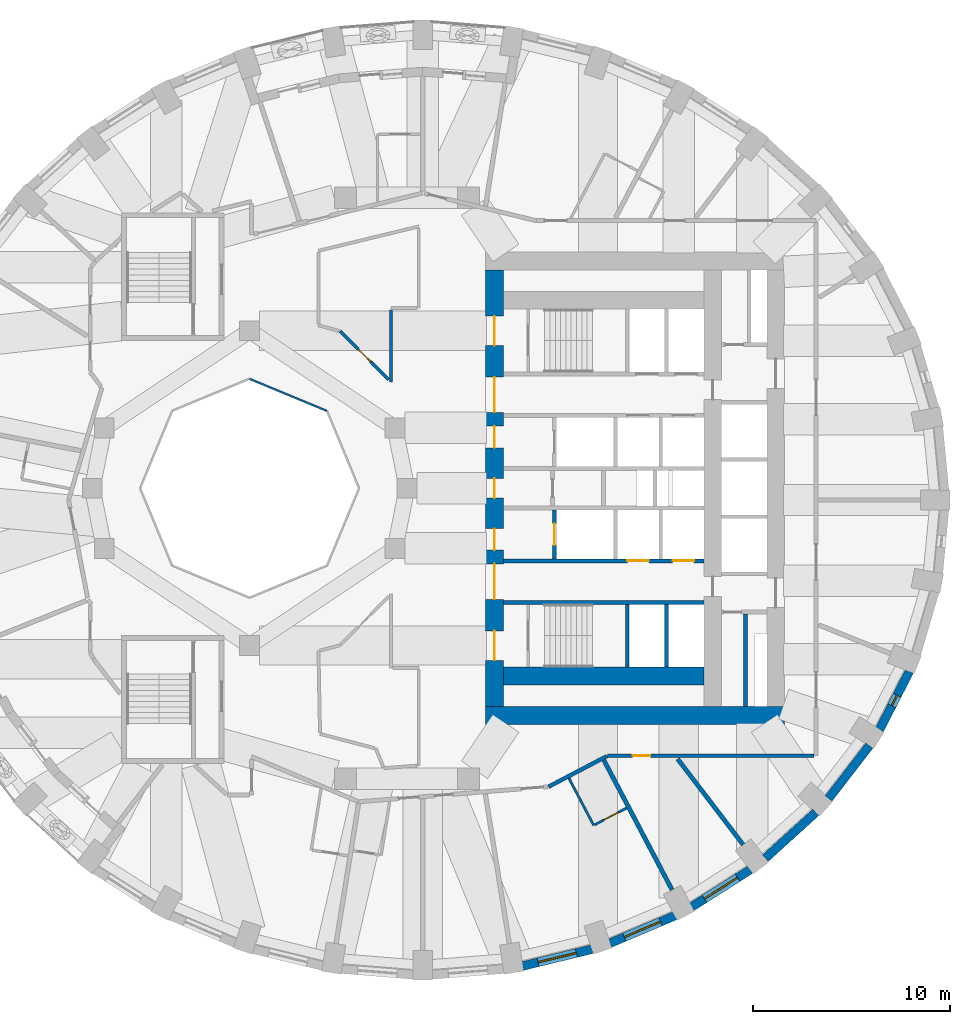
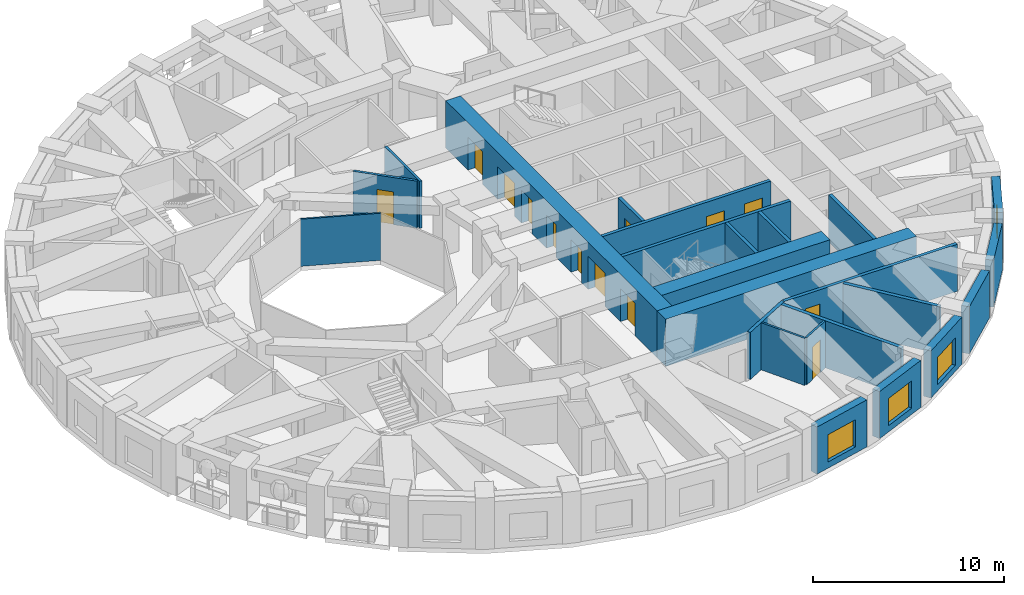
# One storey, part 5 of 12: 24 walls, 13 doors, 4 windows, 17 openings.
"""IFC4 building model written with IfcOpenShell, lengths in metres."""

from ifc_helpers import new_model, si_unit, direction, frame, frame_2d, origin, place, context, subcontext, project, spatial, rectangle, extrude, material, layer, layer_set, type_object, element, fill, save


model = new_model("IFC4")

# Units and contexts
model_context = context("Model", 3, precision=1e-05, world=origin(), true_north=direction((0.0, 1.0)))
body_context = subcontext(model_context, "Body", "Model", "MODEL_VIEW")
ifc_project = project(units=[si_unit("LENGTHUNIT", "METRE"), si_unit("AREAUNIT", "SQUARE_METRE"), si_unit("VOLUMEUNIT", "CUBIC_METRE"), si_unit("PLANEANGLEUNIT", "RADIAN"), si_unit("MASSUNIT", "GRAM", prefix="KILO")], contexts=[model_context])

# Site, building, storey
site_placement = place(None, origin())
site = spatial("IfcSite", under=ifc_project, at=site_placement, CompositionType="ELEMENT")
building_placement = place(site_placement, origin())
building = spatial("IfcBuilding", under=site, at=building_placement, Name="Taillehof Tower", CompositionType="ELEMENT")
storey_placement = place(building_placement, frame((0.0, 0.0, 88.89990234375)))
storey = spatial("IfcBuildingStorey", under=building, at=storey_placement, Name="L24", CompositionType="ELEMENT", Elevation=88.89990234375)

# Wall
ifc_material_1 = material(Name="Fire-resisting glass in steel frame", Category="steel")
ifc_layer_1 = layer(ifc_material_1, 0.10009765625)
ifc_layer_set_1 = layer_set([ifc_layer_1], Name="Atrium fire-resisting screen EI 60 100")
wall_type_1 = type_object("IfcWallType", Name="Atrium fire-resisting screen EI 60 100", PredefinedType="PARTITIONING", material=ifc_layer_set_1)
wall_1_placement = place(storey_placement, frame((-8.0, 5.55419921875, 0.0), z_axis=(0.0, 0.0, 1.0), x_axis=(0.923860025149, -0.382730523909, 0.0)))
element("IfcWall", 1, at=wall_1_placement, inside=storey, type_object=wall_type_1, Name="Atrium screen", PredefinedType="PARTITIONING", context=body_context, shape_type="SweptSolid", body=[
    extrude(rectangle(XDim=4.2509765625, YDim=0.10009765625, at=frame_2d((2.12548828125, 0.0))), origin(), (0.0, 0.0, 1.0), 3.02001953125),
])

# Wall, opening, window
ifc_material_2 = material(Name="Brick masonry", Category="masonry")
ifc_layer_2 = layer(ifc_material_2, 0.449951171875)
ifc_layer_set_2 = layer_set([ifc_layer_2], Name="Brick infill wall 450")
wall_type_2 = type_object("IfcWallType", Name="Brick infill wall 450", PredefinedType="SOLIDWALL", material=ifc_layer_set_2)
wall_2_placement = place(storey_placement, frame((5.87451171875, -24.29443359375, 0.0), z_axis=(0.0, 0.0, 1.0), x_axis=(0.971667603162, 0.236351579148, 0.0)))
wall_2 = element("IfcWall", 2, at=wall_2_placement, inside=storey, type_object=wall_type_2, Name="Brick wall L24 bay 29", PredefinedType="SOLIDWALL", context=body_context, shape_type="SweptSolid", body=[
    extrude(rectangle(XDim=3.635009765625, YDim=0.449951171875, at=frame_2d((1.8173828125, 0.0))), origin(), (0.0, 0.0, 1.0), 3.02001953125),
])
opening_1_placement = place(wall_2_placement, frame((0.8173828125, 0.0, 0.39990234375)))
opening_1 = element("IfcOpeningElement", 3, at=opening_1_placement, cuts=wall_2, Name="Opening W2", PredefinedType="OPENING", context=body_context, shape_type="SweptSolid", body=[
    extrude(rectangle(XDim=2.0, YDim=1.75, at=frame_2d((1.0, 0.875))), frame((0.0, 0.23486328125, 0.0), z_axis=(0.0, -1.0, 0.0), x_axis=(1.0, 0.0, 0.0)), (0.0, 0.0, 1.0), 0.469970703125),
])
ifc_material_3 = material(Name="Aluminium window frame with clear double glazing", Category="aluminium")
window_type_1 = type_object("IfcWindowType", Name="Deep-set window 2000x1750", PartitioningType="SINGLE_PANEL", PredefinedType="WINDOW", material=ifc_material_3)
window_1_placement = place(opening_1_placement, origin())
window_1 = element("IfcWindow", 4, at=window_1_placement, inside=storey, type_object=window_type_1, Name="W2", OverallHeight=1.75, OverallWidth=2.0, PartitioningType="SINGLE_PANEL", PredefinedType="WINDOW", context=body_context, shape_type="SweptSolid", body=[
    extrude(rectangle(XDim=2.0, YDim=1.75, at=frame_2d((1.0, 0.875))), frame((0.0, 0.034912109375, 0.0), z_axis=(0.0, -1.0, 0.0), x_axis=(1.0, 0.0, 0.0)), (0.0, 0.0, 1.0), 0.06005859375),
])
fill(opening_1, window_1)

wall_3_placement = place(storey_placement, frame((10.318115234375, -23.133544921875, 0.0), z_axis=(0.0, 0.0, 1.0), x_axis=(0.920869643542, 0.389870619055, 0.0)))
wall_3 = element("IfcWall", 5, at=wall_3_placement, inside=storey, type_object=wall_type_2, Name="Brick wall L24 bay 30", PredefinedType="SOLIDWALL", context=body_context, shape_type="SweptSolid", body=[
    extrude(rectangle(XDim=3.59130859375, YDim=0.449951171875, at=frame_2d((1.795654296875, 0.0))), origin(), (0.0, 0.0, 1.0), 3.02001953125),
])
opening_2_placement = place(wall_3_placement, frame((0.795654296875, 0.0, 0.39990234375)))
opening_2 = element("IfcOpeningElement", 6, at=opening_2_placement, cuts=wall_3, Name="Opening W2", PredefinedType="OPENING", context=body_context, shape_type="SweptSolid", body=[
    extrude(rectangle(XDim=2.0, YDim=1.75, at=frame_2d((1.0, 0.875))), frame((0.0, 0.23486328125, 0.0), z_axis=(0.0, -1.0, 0.0), x_axis=(1.0, 0.0, 0.0)), (0.0, 0.0, 1.0), 0.469970703125),
])
window_2_placement = place(opening_2_placement, origin())
window_2 = element("IfcWindow", 7, at=window_2_placement, inside=storey, type_object=window_type_1, Name="W2", OverallHeight=1.75, OverallWidth=2.0, PartitioningType="SINGLE_PANEL", PredefinedType="WINDOW", context=body_context, shape_type="SweptSolid", body=[
    extrude(rectangle(XDim=2.0, YDim=1.75, at=frame_2d((1.0, 0.875))), frame((0.0, 0.034912109375, 0.0), z_axis=(0.0, -1.0, 0.0), x_axis=(1.0, 0.0, 0.0)), (0.0, 0.0, 1.0), 0.06005859375),
])
fill(opening_2, window_2)

wall_4_placement = place(storey_placement, frame((14.475341796875, -21.287109375, 0.0), z_axis=(0.0, 0.0, 1.0), x_axis=(0.843911841423, 0.536481876587, 0.0)))
wall_4 = element("IfcWall", 8, at=wall_4_placement, inside=storey, type_object=wall_type_2, Name="Brick wall L24 bay 31", PredefinedType="SOLIDWALL", context=body_context, shape_type="SweptSolid", body=[
    extrude(rectangle(XDim=3.5322265625, YDim=0.449951171875, at=frame_2d((1.76611328125, 0.0))), origin(), (0.0, 0.0, 1.0), 3.02001953125),
])
opening_3_placement = place(wall_4_placement, frame((0.76611328125, 0.0, 0.39990234375)))
opening_3 = element("IfcOpeningElement", 9, at=opening_3_placement, cuts=wall_4, Name="Opening W2", PredefinedType="OPENING", context=body_context, shape_type="SweptSolid", body=[
    extrude(rectangle(XDim=2.0, YDim=1.75, at=frame_2d((1.0, 0.875))), frame((0.0, 0.23486328125, 0.0), z_axis=(0.0, -1.0, 0.0), x_axis=(1.0, 0.0, 0.0)), (0.0, 0.0, 1.0), 0.469970703125),
])
window_3_placement = place(opening_3_placement, origin())
window_3 = element("IfcWindow", 10, at=window_3_placement, inside=storey, type_object=window_type_1, Name="W2", OverallHeight=1.75, OverallWidth=2.0, PartitioningType="SINGLE_PANEL", PredefinedType="WINDOW", context=body_context, shape_type="SweptSolid", body=[
    extrude(rectangle(XDim=2.0, YDim=1.75, at=frame_2d((1.0, 0.875))), frame((0.0, 0.034912109375, 0.0), z_axis=(0.0, -1.0, 0.0), x_axis=(1.0, 0.0, 0.0)), (0.0, 0.0, 1.0), 0.06005859375),
])
fill(opening_3, window_3)

# Walls
wall_5_placement = place(storey_placement, frame((18.219482421875, -18.8095703125, 0.0), z_axis=(0.0, 0.0, 1.0), x_axis=(0.740364106106, 0.672206062446, 0.0)))
element("IfcWall", 11, at=wall_5_placement, inside=storey, type_object=wall_type_2, Name="Brick wall L24 bay 32", PredefinedType="SOLIDWALL", context=body_context, shape_type="SweptSolid", body=[
    extrude(rectangle(XDim=3.4638671875, YDim=0.449951171875, at=frame_2d((1.73193359375, 0.0))), origin(), (0.0, 0.0, 1.0), 3.02001953125),
])
wall_6_placement = place(storey_placement, frame((21.43505859375, -15.775390625, 0.0), z_axis=(0.0, 0.0, 1.0), x_axis=(0.610693945156, 0.791866721961, 0.0)))
element("IfcWall", 12, at=wall_6_placement, inside=storey, type_object=wall_type_2, Name="Brick wall L24 bay 33", PredefinedType="SOLIDWALL", context=body_context, shape_type="SweptSolid", body=[
    extrude(rectangle(XDim=3.39453125, YDim=0.449951171875, at=frame_2d((1.697265625, 0.0))), origin(), (0.0, 0.0, 1.0), 3.02001953125),
])

# Wall, opening, window
wall_7_placement = place(storey_placement, frame((24.022705078125, -12.27685546875, 0.0), z_axis=(0.0, 0.0, 1.0), x_axis=(0.456828186229, 0.889554949549, 0.0)))
wall_7 = element("IfcWall", 13, at=wall_7_placement, inside=storey, type_object=wall_type_2, Name="Brick wall L24 bay 34", PredefinedType="SOLIDWALL", context=body_context, shape_type="SweptSolid", body=[
    extrude(rectangle(XDim=3.332763671875, YDim=0.449951171875, at=frame_2d((1.66650390625, 0.0))), origin(), (0.0, 0.0, 1.0), 3.02001953125),
])
opening_4_placement = place(wall_7_placement, frame((1.366455078125, 0.0, 0.39990234375)))
opening_4 = element("IfcOpeningElement", 14, at=opening_4_placement, cuts=wall_7, Name="Opening W6", PredefinedType="OPENING", context=body_context, shape_type="SweptSolid", body=[
    extrude(rectangle(XDim=0.60009765625, YDim=1.75, at=frame_2d((0.300048828125, 0.875))), frame((0.0, 0.23486328125, 0.0), z_axis=(0.0, -1.0, 0.0), x_axis=(1.0, 0.0, 0.0)), (0.0, 0.0, 1.0), 0.469970703125),
])
ifc_material_4 = material(Name="Aluminium window frame with clear double glazing", Category="aluminium")
window_type_2 = type_object("IfcWindowType", Name="Slot window 600x1750", PartitioningType="SINGLE_PANEL", PredefinedType="WINDOW", material=ifc_material_4)
window_4_placement = place(opening_4_placement, origin())
window_4 = element("IfcWindow", 15, at=window_4_placement, inside=storey, type_object=window_type_2, Name="W6", OverallHeight=1.75, OverallWidth=0.60009765625, PartitioningType="SINGLE_PANEL", PredefinedType="WINDOW", context=body_context, shape_type="SweptSolid", body=[
    extrude(rectangle(XDim=0.60009765625, YDim=1.75, at=frame_2d((0.300048828125, 0.875))), frame((0.0, 0.034912109375, 0.0), z_axis=(0.0, -1.0, 0.0), x_axis=(1.0, 0.0, 0.0)), (0.0, 0.0, 1.0), 0.06005859375),
])
fill(opening_4, window_4)

# Wall
ifc_material_5 = material(Name="Calcium silicate masonry", Category="masonry")
ifc_layer_3 = layer(ifc_material_5, 0.199951171875)
ifc_layer_set_3 = layer_set([ifc_layer_3], Name="Compartment wall calcium silicate 200")
wall_type_3 = type_object("IfcWallType", Name="Compartment wall calcium silicate 200", PredefinedType="PARTITIONING", material=ifc_layer_set_3)
wall_8_placement = place(storey_placement, frame((17.199951171875, -11.10009765625, 0.0), z_axis=(0.0, 0.0, 1.0), x_axis=(0.0, 1.0, 0.0)))
element("IfcWall", 16, at=wall_8_placement, inside=storey, type_object=wall_type_3, Name="Compartment wall FW", PredefinedType="PARTITIONING", context=body_context, shape_type="SweptSolid", body=[
    extrude(rectangle(XDim=4.7001953125, YDim=0.199951171875, at=frame_2d((2.35009765625, 0.0))), origin(), (0.0, 0.0, 1.0), 3.02001953125),
])

# Wall, opening, door
ifc_material_6 = material(Name="Gypsum board on steel studs, two layers each side", Category="steel")
ifc_layer_4 = layer(ifc_material_6, 0.199951171875)
ifc_layer_set_4 = layer_set([ifc_layer_4], Name="Compartment wall corridor 200")
wall_type_4 = type_object("IfcWallType", Name="Compartment wall corridor 200", PredefinedType="PARTITIONING", material=ifc_layer_set_4)
wall_9_placement = place(storey_placement, frame((20.699951171875, -13.60009765625, 0.0), z_axis=(0.0, 0.0, 1.0), x_axis=(-1.0, 0.0, 0.0)))
wall_9 = element("IfcWall", 17, at=wall_9_placement, inside=storey, type_object=wall_type_4, Name="Compartment wall", PredefinedType="PARTITIONING", context=body_context, shape_type="SweptSolid", body=[
    extrude(rectangle(XDim=10.49755859375, YDim=0.199951171875, at=frame_2d((5.248779296875, 0.0))), origin(), (0.0, 0.0, 1.0), 3.02001953125),
])
opening_5_placement = place(wall_9_placement, frame((8.32470703125, 0.0, 0.0)))
opening_5 = element("IfcOpeningElement", 18, at=opening_5_placement, cuts=wall_9, Name="Opening D2460", PredefinedType="OPENING", context=body_context, shape_type="SweptSolid", body=[
    extrude(rectangle(XDim=0.89990234375, YDim=2.10009765625, at=frame_2d((0.449951171875, 1.050048828125))), frame((0.0, 0.10986328125, 0.0), z_axis=(0.0, -1.0, 0.0), x_axis=(1.0, 0.0, 0.0)), (0.0, 0.0, 1.0), 0.219970703125),
])
ifc_material_7 = material(Name="Timber door leaf in steel frame", Category="steel")
door_type_1 = type_object("IfcDoorType", Name="Service room door EI 30 900 x 2100", OperationType="SINGLE_SWING_LEFT", PredefinedType="DOOR", material=ifc_material_7)
door_1_placement = place(opening_5_placement, origin())
door_1 = element("IfcDoor", 19, at=door_1_placement, inside=storey, type_object=door_type_1, Name="D2460", OperationType="SINGLE_SWING_RIGHT", OverallHeight=2.10009765625, OverallWidth=0.89990234375, PredefinedType="DOOR", context=body_context, shape_type="SweptSolid", body=[
    extrude(rectangle(XDim=0.89990234375, YDim=2.10009765625, at=frame_2d((0.449951171875, 1.050048828125))), frame((0.0, 0.02490234375, 0.0), z_axis=(0.0, -1.0, 0.0), x_axis=(1.0, 0.0, 0.0)), (0.0, 0.0, 1.0), 0.050048828125),
])
fill(opening_5, door_1)

# Walls
wall_10_placement = place(storey_placement, frame((10.166748046875, -13.61865234375, 0.0), z_axis=(0.0, 0.0, 1.0), x_axis=(-0.885637584774, -0.4643770757, 0.0)))
element("IfcWall", 20, at=wall_10_placement, inside=storey, type_object=wall_type_4, Name="Compartment wall", PredefinedType="PARTITIONING", context=body_context, shape_type="SweptSolid", body=[
    extrude(rectangle(XDim=3.35205078125, YDim=0.199951171875, at=frame_2d((1.676025390625, 0.0))), origin(), (0.0, 0.0, 1.0), 3.02001953125),
])
ifc_material_8 = material(Name="Gypsum board on double steel studs with mineral wool", Category="steel")
ifc_layer_5 = layer(ifc_material_8, 0.219970703125)
ifc_layer_set_5 = layer_set([ifc_layer_5], Name="Compartment wall guest room 220")
wall_type_5 = type_object("IfcWallType", Name="Compartment wall guest room 220", PredefinedType="PARTITIONING", material=ifc_layer_set_5)
wall_11_placement = place(storey_placement, frame((13.47607421875, -20.417724609375, 0.0), z_axis=(0.0, 0.0, 1.0), x_axis=(-0.465295750937, 0.885155276864, 0.0)))
element("IfcWall", 21, at=wall_11_placement, inside=storey, type_object=wall_type_5, Name="Compartment wall", PredefinedType="PARTITIONING", context=body_context, shape_type="SweptSolid", body=[
    extrude(rectangle(XDim=7.4580078125, YDim=0.219970703125, at=frame_2d((3.72900390625, 0.0))), origin(), (0.0, 0.0, 1.0), 3.02001953125),
])
wall_12_placement = place(storey_placement, frame((17.08935546875, -18.120849609375, 0.0), z_axis=(0.0, 0.0, 1.0), x_axis=(-0.607064955951, 0.794652212767, 0.0)))
element("IfcWall", 22, at=wall_12_placement, inside=storey, type_object=wall_type_5, Name="Compartment wall", PredefinedType="PARTITIONING", context=body_context, shape_type="SweptSolid", body=[
    extrude(rectangle(XDim=5.483154296875, YDim=0.219970703125, at=frame_2d((2.74169921875, 0.0))), origin(), (0.0, 0.0, 1.0), 3.02001953125),
])
ifc_material_9 = material(Name="Gypsum board on steel studs, two layers each side", Category="steel")
ifc_layer_6 = layer(ifc_material_9, 0.14990234375)
ifc_layer_set_6 = layer_set([ifc_layer_6], Name="Compartment wall service room 150")
wall_type_6 = type_object("IfcWallType", Name="Compartment wall service room 150", PredefinedType="PARTITIONING", material=ifc_layer_set_6)
wall_13_placement = place(storey_placement, frame((-0.800048828125, 9.06982421875, 0.0), z_axis=(0.0, 0.0, 1.0), x_axis=(0.0, -1.0, 0.0)))
element("IfcWall", 23, at=wall_13_placement, inside=storey, type_object=wall_type_6, Name="Compartment wall", PredefinedType="PARTITIONING", context=body_context, shape_type="SweptSolid", body=[
    extrude(rectangle(XDim=3.683349609375, YDim=0.14990234375, at=frame_2d((1.841796875, 0.0))), origin(), (0.0, 0.0, 1.0), 3.02001953125),
])

# Wall, opening, door
wall_14_placement = place(storey_placement, frame((-0.927490234375, 5.513916015625, 0.0), z_axis=(0.0, 0.0, 1.0), x_axis=(-0.707106781187, 0.707106781187, 0.0)))
wall_14 = element("IfcWall", 24, at=wall_14_placement, inside=storey, type_object=wall_type_6, Name="Compartment wall", PredefinedType="PARTITIONING", context=body_context, shape_type="SweptSolid", body=[
    extrude(rectangle(XDim=3.48681640625, YDim=0.14990234375, at=frame_2d((1.743408203125, 0.0))), origin(), (0.0, 0.0, 1.0), 3.02001953125),
])
opening_6_placement = place(wall_14_placement, frame((1.29345703125, 0.0, 0.0)))
opening_6 = element("IfcOpeningElement", 25, at=opening_6_placement, cuts=wall_14, Name="Opening D2465", PredefinedType="OPENING", context=body_context, shape_type="SweptSolid", body=[
    extrude(rectangle(XDim=0.89990234375, YDim=2.10009765625, at=frame_2d((0.449951171875, 1.050048828125))), frame((0.0, 0.0849609375, 0.0), z_axis=(0.0, -1.0, 0.0), x_axis=(1.0, 0.0, 0.0)), (0.0, 0.0, 1.0), 0.169921875),
])
door_2_placement = place(opening_6_placement, origin())
door_2 = element("IfcDoor", 26, at=door_2_placement, inside=storey, type_object=door_type_1, Name="D2465", OperationType="SINGLE_SWING_RIGHT", OverallHeight=2.10009765625, OverallWidth=0.89990234375, PredefinedType="DOOR", context=body_context, shape_type="SweptSolid", body=[
    extrude(rectangle(XDim=0.89990234375, YDim=2.10009765625, at=frame_2d((0.449951171875, 1.050048828125))), frame((0.0, 0.02490234375, 0.0), z_axis=(0.0, -1.0, 0.0), x_axis=(1.0, 0.0, 0.0)), (0.0, 0.0, 1.0), 0.050048828125),
])
fill(opening_6, door_2)

# Wall, openings, doors
ifc_material_10 = material(Name="Concrete C80/95", Category="concrete")
ifc_layer_7 = layer(ifc_material_10, 0.89990234375)
ifc_layer_set_7 = layer_set([ifc_layer_7], Name="Core wall C80/95 900")
wall_type_7 = type_object("IfcWallType", Name="Core wall C80/95 900", PredefinedType="SHEAR", material=ifc_layer_set_7)
wall_15_placement = place(storey_placement, frame((4.449951171875, -11.10009765625, 0.0), z_axis=(0.0, 0.0, 1.0), x_axis=(0.0, 1.0, 0.0)))
wall_15 = element("IfcWall", 27, at=wall_15_placement, inside=storey, type_object=wall_type_7, Name="Core wall CW01", PredefinedType="SHEAR", context=body_context, shape_type="SweptSolid", body=[
    extrude(rectangle(XDim=22.2001953125, YDim=0.89990234375, at=frame_2d((11.10009765625, 0.0))), origin(), (0.0, 0.0, 1.0), 3.02001953125),
])
opening_7_placement = place(wall_15_placement, frame((2.35009765625, 0.0, 0.0)))
opening_7 = element("IfcOpeningElement", 28, at=opening_7_placement, cuts=wall_15, Name="Opening D2401", PredefinedType="OPENING", context=body_context, shape_type="SweptSolid", body=[
    extrude(rectangle(XDim=1.5, YDim=2.10009765625, at=frame_2d((0.75, 1.050048828125))), frame((0.0, 0.4599609375, 0.0), z_axis=(0.0, -1.0, 0.0), x_axis=(1.0, 0.0, 0.0)), (0.0, 0.0, 1.0), 0.919921875),
])
opening_8_placement = place(wall_15_placement, frame((5.449951171875, 0.0, 0.0)))
opening_8 = element("IfcOpeningElement", 29, at=opening_8_placement, cuts=wall_15, Name="Opening D2402", PredefinedType="OPENING", context=body_context, shape_type="SweptSolid", body=[
    extrude(rectangle(XDim=1.800048828125, YDim=2.10009765625, at=frame_2d((0.89990234375, 1.050048828125))), frame((0.0, 0.4599609375, 0.0), z_axis=(0.0, -1.0, 0.0), x_axis=(1.0, 0.0, 0.0)), (0.0, 0.0, 1.0), 0.919921875),
])
opening_9_placement = place(wall_15_placement, frame((7.949951171875, 0.0, 0.0)))
opening_9 = element("IfcOpeningElement", 30, at=opening_9_placement, cuts=wall_15, Name="Opening D2403", PredefinedType="OPENING", context=body_context, shape_type="SweptSolid", body=[
    extrude(rectangle(XDim=1.10009765625, YDim=2.10009765625, at=frame_2d((0.550048828125, 1.050048828125))), frame((0.0, 0.4599609375, 0.0), z_axis=(0.0, -1.0, 0.0), x_axis=(1.0, 0.0, 0.0)), (0.0, 0.0, 1.0), 0.919921875),
])
opening_10_placement = place(wall_15_placement, frame((10.60009765625, 0.0, 0.0)))
opening_10 = element("IfcOpeningElement", 31, at=opening_10_placement, cuts=wall_15, Name="Opening D2404", PredefinedType="OPENING", context=body_context, shape_type="SweptSolid", body=[
    extrude(rectangle(XDim=1.0, YDim=2.10009765625, at=frame_2d((0.5, 1.050048828125))), frame((0.0, 0.4599609375, 0.0), z_axis=(0.0, -1.0, 0.0), x_axis=(1.0, 0.0, 0.0)), (0.0, 0.0, 1.0), 0.919921875),
])
opening_11_placement = place(wall_15_placement, frame((13.14990234375, 0.0, 0.0)))
opening_11 = element("IfcOpeningElement", 32, at=opening_11_placement, cuts=wall_15, Name="Opening D2405", PredefinedType="OPENING", context=body_context, shape_type="SweptSolid", body=[
    extrude(rectangle(XDim=1.10009765625, YDim=2.10009765625, at=frame_2d((0.550048828125, 1.050048828125))), frame((0.0, 0.4599609375, 0.0), z_axis=(0.0, -1.0, 0.0), x_axis=(1.0, 0.0, 0.0)), (0.0, 0.0, 1.0), 0.919921875),
])
opening_12_placement = place(wall_15_placement, frame((14.949951171875, 0.0, 0.0)))
opening_12 = element("IfcOpeningElement", 33, at=opening_12_placement, cuts=wall_15, Name="Opening D2406", PredefinedType="OPENING", context=body_context, shape_type="SweptSolid", body=[
    extrude(rectangle(XDim=1.800048828125, YDim=2.10009765625, at=frame_2d((0.89990234375, 1.050048828125))), frame((0.0, 0.4599609375, 0.0), z_axis=(0.0, -1.0, 0.0), x_axis=(1.0, 0.0, 0.0)), (0.0, 0.0, 1.0), 0.919921875),
])
opening_13_placement = place(wall_15_placement, frame((18.35009765625, 0.0, 0.0)))
opening_13 = element("IfcOpeningElement", 34, at=opening_13_placement, cuts=wall_15, Name="Opening D2407", PredefinedType="OPENING", context=body_context, shape_type="SweptSolid", body=[
    extrude(rectangle(XDim=1.5, YDim=2.10009765625, at=frame_2d((0.75, 1.050048828125))), frame((0.0, 0.4599609375, 0.0), z_axis=(0.0, -1.0, 0.0), x_axis=(1.0, 0.0, 0.0)), (0.0, 0.0, 1.0), 0.919921875),
])
ifc_material_11 = material(Name="Steel-faced fire door", Category="steel")
door_type_2 = type_object("IfcDoorType", Name="Firefighting lobby door 1100x2100", OperationType="SINGLE_SWING_RIGHT", PredefinedType="DOOR", material=ifc_material_11)
door_3_placement = place(opening_9_placement, origin())
door_3 = element("IfcDoor", 35, at=door_3_placement, inside=storey, type_object=door_type_2, Name="Firefighting lobby door FFL-S", OperationType="SINGLE_SWING_RIGHT", OverallHeight=2.10009765625, OverallWidth=1.10009765625, PredefinedType="DOOR", context=body_context, shape_type="SweptSolid", body=[
    extrude(rectangle(XDim=1.10009765625, YDim=2.10009765625, at=frame_2d((0.550048828125, 1.050048828125))), frame((0.0, 0.02490234375, 0.0), z_axis=(0.0, -1.0, 0.0), x_axis=(1.0, 0.0, 0.0)), (0.0, 0.0, 1.0), 0.050048828125),
])
fill(opening_9, door_3)
door_4_placement = place(opening_11_placement, origin())
door_4 = element("IfcDoor", 36, at=door_4_placement, inside=storey, type_object=door_type_2, Name="Firefighting lobby door FFL-N", OperationType="SINGLE_SWING_LEFT", OverallHeight=2.10009765625, OverallWidth=1.10009765625, PredefinedType="DOOR", context=body_context, shape_type="SweptSolid", body=[
    extrude(rectangle(XDim=1.10009765625, YDim=2.10009765625, at=frame_2d((0.550048828125, 1.050048828125))), frame((0.0, 0.02490234375, 0.0), z_axis=(0.0, -1.0, 0.0), x_axis=(1.0, 0.0, 0.0)), (0.0, 0.0, 1.0), 0.050048828125),
])
fill(opening_11, door_4)
ifc_material_12 = material(Name="Steel-faced fire door", Category="steel")
door_type_3 = type_object("IfcDoorType", Name="Lift lobby door 1800x2100", OperationType="DOUBLE_DOOR_SINGLE_SWING", PredefinedType="DOOR", material=ifc_material_12)
door_5_placement = place(opening_8_placement, origin())
door_5 = element("IfcDoor", 37, at=door_5_placement, inside=storey, type_object=door_type_3, Name="Lift lobby door LL-S", OperationType="DOUBLE_DOOR_SINGLE_SWING", OverallHeight=2.10009765625, OverallWidth=1.800048828125, PredefinedType="DOOR", context=body_context, shape_type="SweptSolid", body=[
    extrude(rectangle(XDim=1.800048828125, YDim=2.10009765625, at=frame_2d((0.89990234375, 1.050048828125))), frame((0.0, 0.02490234375, 0.0), z_axis=(0.0, -1.0, 0.0), x_axis=(1.0, 0.0, 0.0)), (0.0, 0.0, 1.0), 0.050048828125),
])
fill(opening_8, door_5)
door_6_placement = place(opening_12_placement, origin())
door_6 = element("IfcDoor", 38, at=door_6_placement, inside=storey, type_object=door_type_3, Name="Lift lobby door LL-N", OperationType="DOUBLE_DOOR_SINGLE_SWING", OverallHeight=2.10009765625, OverallWidth=1.800048828125, PredefinedType="DOOR", context=body_context, shape_type="SweptSolid", body=[
    extrude(rectangle(XDim=1.800048828125, YDim=2.10009765625, at=frame_2d((0.89990234375, 1.050048828125))), frame((0.0, 0.02490234375, 0.0), z_axis=(0.0, -1.0, 0.0), x_axis=(1.0, 0.0, 0.0)), (0.0, 0.0, 1.0), 0.050048828125),
])
fill(opening_12, door_6)
ifc_material_13 = material(Name="Steel-faced fire door", Category="steel")
door_type_4 = type_object("IfcDoorType", Name="Service door 1000x2100", OperationType="SINGLE_SWING_RIGHT", PredefinedType="DOOR", material=ifc_material_13)
door_7_placement = place(opening_10_placement, origin())
door_7 = element("IfcDoor", 39, at=door_7_placement, inside=storey, type_object=door_type_4, Name="Service door SV", OperationType="SINGLE_SWING_RIGHT", OverallHeight=2.10009765625, OverallWidth=1.0, PredefinedType="DOOR", context=body_context, shape_type="SweptSolid", body=[
    extrude(rectangle(XDim=1.0, YDim=2.10009765625, at=frame_2d((0.5, 1.050048828125))), frame((0.0, 0.02490234375, 0.0), z_axis=(0.0, -1.0, 0.0), x_axis=(1.0, 0.0, 0.0)), (0.0, 0.0, 1.0), 0.050048828125),
])
fill(opening_10, door_7)
ifc_material_14 = material(Name="Steel-faced fire door", Category="steel")
door_type_5 = type_object("IfcDoorType", Name="Stair door 1500x2100", OperationType="DOUBLE_DOOR_SINGLE_SWING", PredefinedType="DOOR", material=ifc_material_14)
door_8_placement = place(opening_7_placement, origin())
door_8 = element("IfcDoor", 40, at=door_8_placement, inside=storey, type_object=door_type_5, Name="Stair door S2", OperationType="DOUBLE_DOOR_SINGLE_SWING", OverallHeight=2.10009765625, OverallWidth=1.5, PredefinedType="DOOR", context=body_context, shape_type="SweptSolid", body=[
    extrude(rectangle(XDim=1.5, YDim=2.10009765625, at=frame_2d((0.75, 1.050048828125))), frame((0.0, 0.02490234375, 0.0), z_axis=(0.0, -1.0, 0.0), x_axis=(1.0, 0.0, 0.0)), (0.0, 0.0, 1.0), 0.050048828125),
])
fill(opening_7, door_8)
door_9_placement = place(opening_13_placement, origin())
door_9 = element("IfcDoor", 41, at=door_9_placement, inside=storey, type_object=door_type_5, Name="Stair door S1", OperationType="DOUBLE_DOOR_SINGLE_SWING", OverallHeight=2.10009765625, OverallWidth=1.5, PredefinedType="DOOR", context=body_context, shape_type="SweptSolid", body=[
    extrude(rectangle(XDim=1.5, YDim=2.10009765625, at=frame_2d((0.75, 1.050048828125))), frame((0.0, 0.02490234375, 0.0), z_axis=(0.0, -1.0, 0.0), x_axis=(1.0, 0.0, 0.0)), (0.0, 0.0, 1.0), 0.050048828125),
])
fill(opening_13, door_9)

# Walls
wall_16_placement = place(storey_placement, frame((4.0, -11.550048828125, 0.0), z_axis=(0.0, 0.0, 1.0), x_axis=(1.0, 0.0, 0.0)))
element("IfcWall", 42, at=wall_16_placement, inside=storey, type_object=wall_type_7, Name="Core wall CW04", PredefinedType="SHEAR", context=body_context, shape_type="SweptSolid", body=[
    extrude(rectangle(XDim=15.199951171875, YDim=0.89990234375, at=frame_2d((7.60009765625, 0.0))), origin(), (0.0, 0.0, 1.0), 3.02001953125),
])
wall_17_placement = place(storey_placement, frame((4.89990234375, -9.550048828125, 0.0), z_axis=(0.0, 0.0, 1.0), x_axis=(1.0, 0.0, 0.0)))
element("IfcWall", 43, at=wall_17_placement, inside=storey, type_object=wall_type_7, Name="Core wall CW07", PredefinedType="SHEAR", context=body_context, shape_type="SweptSolid", body=[
    extrude(rectangle(XDim=10.2001953125, YDim=0.89990234375, at=frame_2d((5.10009765625, 0.0))), origin(), (0.0, 0.0, 1.0), 3.02001953125),
])
ifc_material_15 = material(Name="Gypsum board on steel studs, moisture resistant", Category="steel")
ifc_layer_8 = layer(ifc_material_15, 0.1201171875)
ifc_layer_set_8 = layer_set([ifc_layer_8], Name="En-suite wall 120")
wall_type_8 = type_object("IfcWallType", Name="En-suite wall 120", PredefinedType="PARTITIONING", material=ifc_layer_set_8)
wall_18_placement = place(storey_placement, frame((8.234619140625, -14.744873046875, 0.0), z_axis=(0.0, 0.0, 1.0), x_axis=(0.46526594455, -0.885170944418, 0.0)))
element("IfcWall", 44, at=wall_18_placement, inside=storey, type_object=wall_type_8, Name="En-suite wall", PredefinedType="PARTITIONING", context=body_context, shape_type="SweptSolid", body=[
    extrude(rectangle(XDim=2.701904296875, YDim=0.1201171875, at=frame_2d((1.35107421875, 0.0))), origin(), (0.0, 0.0, 1.0), 3.02001953125),
])

# Wall, opening, door
wall_19_placement = place(storey_placement, frame((9.544921875, -17.108642578125, 0.0), z_axis=(0.0, 0.0, 1.0), x_axis=(0.885143836671, 0.465317513536, 0.0)))
wall_19 = element("IfcWall", 45, at=wall_19_placement, inside=storey, type_object=wall_type_8, Name="En-suite wall", PredefinedType="PARTITIONING", context=body_context, shape_type="SweptSolid", body=[
    extrude(rectangle(XDim=1.830078125, YDim=0.1201171875, at=frame_2d((0.9150390625, 0.0))), origin(), (0.0, 0.0, 1.0), 3.02001953125),
])
opening_14_placement = place(wall_19_placement, frame((0.5400390625, 0.0, 0.0)))
opening_14 = element("IfcOpeningElement", 46, at=opening_14_placement, cuts=wall_19, Name="Opening D2459", PredefinedType="OPENING", context=body_context, shape_type="SweptSolid", body=[
    extrude(rectangle(XDim=0.800048828125, YDim=2.10009765625, at=frame_2d((0.39990234375, 1.050048828125))), frame((0.0, 0.070068359375, 0.0), z_axis=(0.0, -1.0, 0.0), x_axis=(1.0, 0.0, 0.0)), (0.0, 0.0, 1.0), 0.14013671875),
])
ifc_material_16 = material(Name="Timber door leaf in steel frame", Category="steel")
door_type_6 = type_object("IfcDoorType", Name="En-suite door 800 x 2100", OperationType="SINGLE_SWING_LEFT", PredefinedType="DOOR", material=ifc_material_16)
door_10_placement = place(opening_14_placement, origin())
door_10 = element("IfcDoor", 47, at=door_10_placement, inside=storey, type_object=door_type_6, Name="D2459", OperationType="SINGLE_SWING_LEFT", OverallHeight=2.10009765625, OverallWidth=0.800048828125, PredefinedType="DOOR", context=body_context, shape_type="SweptSolid", body=[
    extrude(rectangle(XDim=0.800048828125, YDim=2.10009765625, at=frame_2d((0.39990234375, 1.050048828125))), frame((0.0, 0.02490234375, 0.0), z_axis=(0.0, -1.0, 0.0), x_axis=(1.0, 0.0, 0.0)), (0.0, 0.0, 1.0), 0.050048828125),
])
fill(opening_14, door_10)

# Wall, openings, doors
ifc_material_17 = material(Name="Concrete C50/60", Category="concrete")
ifc_layer_9 = layer(ifc_material_17, 0.199951171875)
ifc_layer_set_9 = layer_set([ifc_layer_9], Name="Shaft wall C50/60 200")
wall_type_9 = type_object("IfcWallType", Name="Shaft wall C50/60 200", PredefinedType="SHEAR", material=ifc_layer_set_9)
wall_20_placement = place(storey_placement, frame((4.89990234375, -3.699951171875, 0.0), z_axis=(0.0, 0.0, 1.0), x_axis=(1.0, 0.0, 0.0)))
wall_20 = element("IfcWall", 48, at=wall_20_placement, inside=storey, type_object=wall_type_9, Name="Shaft wall SW", PredefinedType="SHEAR", context=body_context, shape_type="SweptSolid", body=[
    extrude(rectangle(XDim=10.2001953125, YDim=0.199951171875, at=frame_2d((5.10009765625, 0.0))), origin(), (0.0, 0.0, 1.0), 3.02001953125),
])
opening_15_placement = place(wall_20_placement, frame((6.300048828125, 0.0, 0.0)))
opening_15 = element("IfcOpeningElement", 49, at=opening_15_placement, cuts=wall_20, Name="Opening LD1", PredefinedType="OPENING", context=body_context, shape_type="SweptSolid", body=[
    extrude(rectangle(XDim=1.10009765625, YDim=2.10009765625, at=frame_2d((0.550048828125, 1.050048828125))), frame((0.0, 0.10986328125, 0.0), z_axis=(0.0, -1.0, 0.0), x_axis=(1.0, 0.0, 0.0)), (0.0, 0.0, 1.0), 0.219970703125),
])
opening_16_placement = place(wall_20_placement, frame((8.60009765625, 0.0, 0.0)))
opening_16 = element("IfcOpeningElement", 50, at=opening_16_placement, cuts=wall_20, Name="Opening LD1", PredefinedType="OPENING", context=body_context, shape_type="SweptSolid", body=[
    extrude(rectangle(XDim=1.10009765625, YDim=2.10009765625, at=frame_2d((0.550048828125, 1.050048828125))), frame((0.0, 0.10986328125, 0.0), z_axis=(0.0, -1.0, 0.0), x_axis=(1.0, 0.0, 0.0)), (0.0, 0.0, 1.0), 0.219970703125),
])
ifc_material_18 = material(Name="Stainless steel", Category="steel")
door_type_7 = type_object("IfcDoorType", Name="Lift landing door LD1 1100x2100", OperationType="DOUBLE_DOOR_SLIDING", PredefinedType="DOOR", material=ifc_material_18)
door_11_placement = place(opening_15_placement, origin())
door_11 = element("IfcDoor", 51, at=door_11_placement, inside=storey, type_object=door_type_7, Name="Landing door LR5", OperationType="DOUBLE_DOOR_SLIDING", OverallHeight=2.10009765625, OverallWidth=1.10009765625, PredefinedType="DOOR", context=body_context, shape_type="SweptSolid", body=[
    extrude(rectangle(XDim=1.10009765625, YDim=2.10009765625, at=frame_2d((0.550048828125, 1.050048828125))), frame((0.0, 0.02490234375, 0.0), z_axis=(0.0, -1.0, 0.0), x_axis=(1.0, 0.0, 0.0)), (0.0, 0.0, 1.0), 0.050048828125),
])
fill(opening_15, door_11)
door_12_placement = place(opening_16_placement, origin())
door_12 = element("IfcDoor", 52, at=door_12_placement, inside=storey, type_object=door_type_7, Name="Landing door LR6", OperationType="DOUBLE_DOOR_SLIDING", OverallHeight=2.10009765625, OverallWidth=1.10009765625, PredefinedType="DOOR", context=body_context, shape_type="SweptSolid", body=[
    extrude(rectangle(XDim=1.10009765625, YDim=2.10009765625, at=frame_2d((0.550048828125, 1.050048828125))), frame((0.0, 0.02490234375, 0.0), z_axis=(0.0, -1.0, 0.0), x_axis=(1.0, 0.0, 0.0)), (0.0, 0.0, 1.0), 0.050048828125),
])
fill(opening_16, door_12)

# Walls
wall_21_placement = place(storey_placement, frame((4.89990234375, -5.800048828125, 0.0), z_axis=(0.0, 0.0, 1.0), x_axis=(1.0, 0.0, 0.0)))
element("IfcWall", 53, at=wall_21_placement, inside=storey, type_object=wall_type_9, Name="Shaft wall SW", PredefinedType="SHEAR", context=body_context, shape_type="SweptSolid", body=[
    extrude(rectangle(XDim=10.2001953125, YDim=0.199951171875, at=frame_2d((5.10009765625, 0.0))), origin(), (0.0, 0.0, 1.0), 3.02001953125),
])
for number, where, z_axis, x_axis, name in (
    (54, (11.199951171875, -9.10009765625, 0.0), (0.0, 0.0, 1.0), (0.0, 1.0, 0.0), "Shaft wall SW"),
    (55, (13.199951171875, -9.10009765625, 0.0), (0.0, 0.0, 1.0), (0.0, 1.0, 0.0), "Shaft wall SW"),
):
    element("IfcWall", number, at=place(storey_placement, frame(where, z_axis=z_axis, x_axis=x_axis)), inside=storey, type_object=wall_type_9, Name=name, PredefinedType="SHEAR", context=body_context, shape_type="SweptSolid", body=[
        extrude(rectangle(XDim=3.2001953125, YDim=0.199951171875, at=frame_2d((1.60009765625, 0.0))), origin(), (0.0, 0.0, 1.0), 3.02001953125),
    ])

# Wall, opening, door
wall_22_placement = place(storey_placement, frame((7.5, -3.60009765625, 0.0), z_axis=(0.0, 0.0, 1.0), x_axis=(0.0, 1.0, 0.0)))
wall_22 = element("IfcWall", 56, at=wall_22_placement, inside=storey, type_object=wall_type_9, Name="Shaft wall SW", PredefinedType="SHEAR", context=body_context, shape_type="SweptSolid", body=[
    extrude(rectangle(XDim=2.5, YDim=0.199951171875, at=frame_2d((1.25, 0.0))), origin(), (0.0, 0.0, 1.0), 3.02001953125),
])
opening_17_placement = place(wall_22_placement, frame((0.699951171875, 0.0, 0.0)))
opening_17 = element("IfcOpeningElement", 57, at=opening_17_placement, cuts=wall_22, Name="Opening LD1", PredefinedType="OPENING", context=body_context, shape_type="SweptSolid", body=[
    extrude(rectangle(XDim=1.10009765625, YDim=2.10009765625, at=frame_2d((0.550048828125, 1.050048828125))), frame((0.0, 0.10986328125, 0.0), z_axis=(0.0, -1.0, 0.0), x_axis=(1.0, 0.0, 0.0)), (0.0, 0.0, 1.0), 0.219970703125),
])
door_13_placement = place(opening_17_placement, origin())
door_13 = element("IfcDoor", 58, at=door_13_placement, inside=storey, type_object=door_type_7, Name="Landing door FF2", OperationType="DOUBLE_DOOR_SLIDING", OverallHeight=2.10009765625, OverallWidth=1.10009765625, PredefinedType="DOOR", context=body_context, shape_type="SweptSolid", body=[
    extrude(rectangle(XDim=1.10009765625, YDim=2.10009765625, at=frame_2d((0.550048828125, 1.050048828125))), frame((0.0, 0.02490234375, 0.0), z_axis=(0.0, -1.0, 0.0), x_axis=(1.0, 0.0, 0.0)), (0.0, 0.0, 1.0), 0.050048828125),
])
fill(opening_17, door_13)

save(model, "model.ifc")
